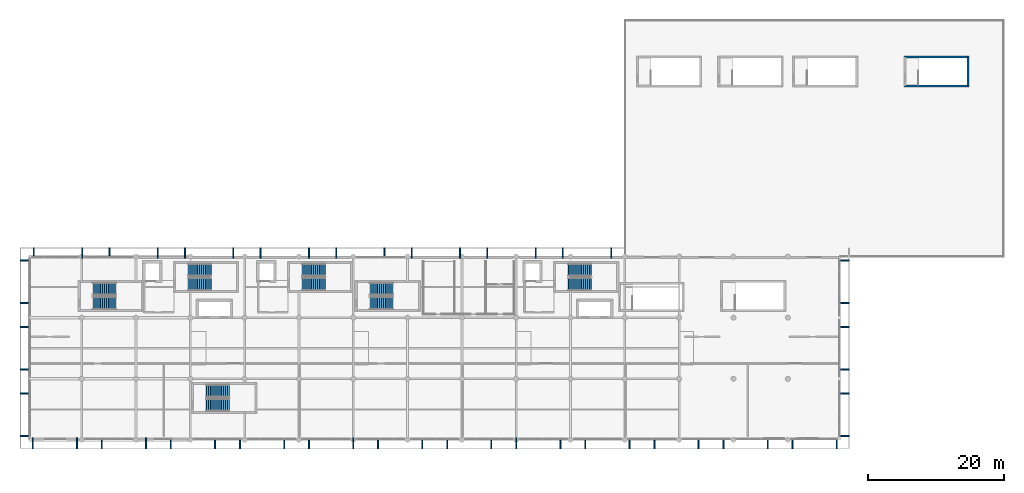
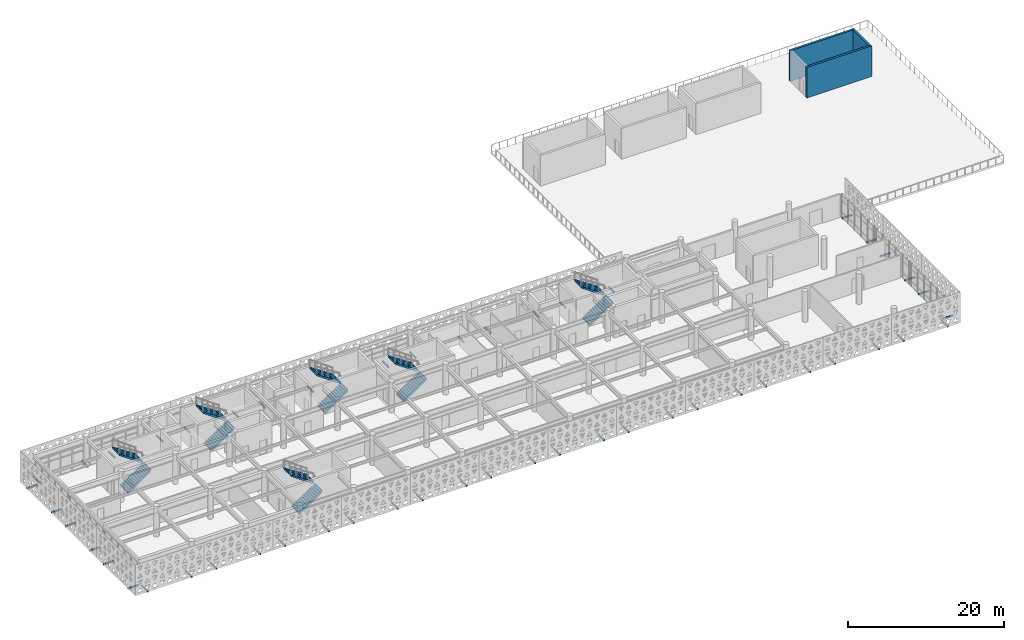
# One storey, part 25 of 33: 52 discrete accessories, 12 stair flights, 3 walls, 6 elements without a shape of their own.
"""IFC4 building model written with IfcOpenShell, lengths in metres."""

from ifc_helpers import new_model, si_unit, direction, frame, frame_2d, origin, origin_2d, place, context, subcontext, project, spatial, polyline, rectangle, outline, extrude, material, layer, layer_set, type_object, element, aggregate, save


model = new_model("IFC4")

# Units and contexts
model_context = context("Model", 3, precision=1e-05, world=origin(), true_north=direction((0.0, 1.0)))
body_context = subcontext(model_context, "Body", "Model", "MODEL_VIEW")
ifc_project = project(units=[si_unit("LENGTHUNIT", "METRE"), si_unit("AREAUNIT", "SQUARE_METRE"), si_unit("VOLUMEUNIT", "CUBIC_METRE"), si_unit("PLANEANGLEUNIT", "RADIAN"), si_unit("MASSUNIT", "GRAM", prefix="KILO")], contexts=[model_context])

# Site, building, storey
site_placement = place(None, origin())
site = spatial("IfcSite", under=ifc_project, at=site_placement, CompositionType="ELEMENT")
building_placement = place(site_placement, origin())
building = spatial("IfcBuilding", under=site, at=building_placement, Name="Tlacozan Convention Centre", CompositionType="ELEMENT")
storey_placement = place(building_placement, frame((0.0, 0.0, 16.199951171875)))
storey = spatial("IfcBuildingStorey", under=building, at=storey_placement, Name="L03", CompositionType="ELEMENT", Elevation=16.199951171875)

# Walls
ifc_material_1 = material(Name="Concrete C40/50", Category="concrete")
ifc_layer_1 = layer(ifc_material_1, 0.31005859375)
ifc_layer_set_1 = layer_set([ifc_layer_1], Name="Concrete C40/50")
wall_type = type_object("IfcWallType", Name="Stair Shaft Shear Wall RC 310", PredefinedType="SHEAR", material=ifc_layer_set_1)
for number, where, z_axis, x_axis, name in (
    (1, (129.0849609375, 52.139892578125, 0.0), (0.0, 0.0, 1.0), (1.0, 0.0, 0.0), "L03 Stair Shaft Shear Wall RC 310 261"),
    (2, (129.0849609375, 56.419921875, 0.0), (0.0, 0.0, 1.0), (1.0, 0.0, 0.0), "L03 Stair Shaft Shear Wall RC 310 262"),
):
    element("IfcWall", number, at=place(storey_placement, frame(where, z_axis=z_axis, x_axis=x_axis)), inside=storey, type_object=wall_type, Name=name, PredefinedType="SHEAR", context=body_context, shape_type="SweptSolid", body=[
        extrude(rectangle(XDim=9.630126953125, YDim=0.31005859375, at=frame_2d((4.81494140625, 0.0))), origin(), (0.0, 0.0, 1.0), 4.800048828125),
    ])
wall_placement = place(storey_placement, frame((138.56005859375, 52.139892578125, 0.0), z_axis=(0.0, 0.0, 1.0), x_axis=(0.0, 1.0, 0.0)))
element("IfcWall", 3, at=wall_placement, inside=storey, type_object=wall_type, Name="L03 Stair Shaft Shear Wall RC 310 264", PredefinedType="SHEAR", context=body_context, shape_type="SweptSolid", body=[
    extrude(rectangle(XDim=4.280029296875, YDim=0.31005859375, at=frame_2d((2.14013671875, 0.0))), origin(), (0.0, 0.0, 1.0), 4.800048828125),
])

# Stair, stair flights
stair_type = type_object("IfcStairType", Name="Protected Dogleg Stair W188 H48", PredefinedType="HALF_TURN_STAIR", material=ifc_material_1)
stair_1_placement = place(storey_placement, origin())
stair_1 = element("IfcStair", 4, at=stair_1_placement, inside=storey, type_object=stair_type, Name="L03 West Congress Core Stair ST-01", PredefinedType="HALF_TURN_STAIR")
stair_flight_type = type_object("IfcStairFlightType", Name="Concrete Stair Flight W188 H48", PredefinedType="STRAIGHT", material=ifc_material_1)
stair_flight_1_placement = place(storey_placement, frame((23.679931640625, 22.93994140625, 0.0), z_axis=(0.0, 0.0, 1.0), x_axis=(1.0, 0.0, 0.0)))
stair_flight_1 = element("IfcStairFlight", 5, at=stair_flight_1_placement, type_object=stair_flight_type, Name="ST-01 flight 1", NumberOfRisers=13, NumberOfTreads=12, PredefinedType="STRAIGHT", RiserHeight=0.184615385, TreadLength=0.28, context=body_context, shape_type="SweptSolid", body=[
    extrude(outline(polyline([(-0.044921875, -0.14990234375), (-0.044921875, 0.0), (0.0, 0.0), (0.0, 0.1845703125), (0.280029296875, 0.1845703125), (0.280029296875, 0.369140625), (0.56005859375, 0.369140625), (0.56005859375, 0.553955078125), (0.840087890625, 0.553955078125), (0.840087890625, 0.738525390625), (1.1201171875, 0.738525390625), (1.1201171875, 0.923095703125), (1.39990234375, 0.923095703125), (1.39990234375, 1.107666015625), (1.679931640625, 1.107666015625), (1.679931640625, 1.292236328125), (1.9599609375, 1.292236328125), (1.9599609375, 1.476806640625), (2.239990234375, 1.476806640625), (2.239990234375, 1.66162109375), (2.52001953125, 1.66162109375), (2.52001953125, 1.84619140625), (2.800048828125, 1.84619140625), (2.800048828125, 2.03076171875), (3.080078125, 2.03076171875), (3.080078125, 2.21533203125), (3.360107421875, 2.21533203125), (3.360107421875, 2.39990234375), (3.405029296875, 2.39990234375), (3.405029296875, 2.25), (3.360107421875, 2.035888671875), (0.272216796875, -0.14990234375), (-0.044921875, -0.14990234375)])), frame((0.0, 0.93994140625, 0.0), z_axis=(0.0, -1.0, 0.0), x_axis=(1.0, 0.0, 0.0)), (0.0, 0.0, 1.0), 1.8798828125),
])
stair_flight_2_placement = place(storey_placement, frame((27.0400390625, 25.02001953125, 2.400146484375), z_axis=(0.0, 0.0, 1.0), x_axis=(-1.0, 0.0, 0.0)))
stair_flight_2 = element("IfcStairFlight", 6, at=stair_flight_2_placement, type_object=stair_flight_type, Name="ST-01 flight 2", NumberOfRisers=13, NumberOfTreads=12, PredefinedType="STRAIGHT", RiserHeight=0.184615385, TreadLength=0.28, context=body_context, shape_type="SweptSolid", body=[
    extrude(outline(polyline([(-0.044921875, -0.14990234375), (-0.044921875, 0.0), (0.0, 0.0), (0.0, 0.1845703125), (0.280029296875, 0.1845703125), (0.280029296875, 0.369140625), (0.56005859375, 0.369140625), (0.56005859375, 0.553955078125), (0.840087890625, 0.553955078125), (0.840087890625, 0.738525390625), (1.1201171875, 0.738525390625), (1.1201171875, 0.923095703125), (1.39990234375, 0.923095703125), (1.39990234375, 1.107666015625), (1.679931640625, 1.107666015625), (1.679931640625, 1.292236328125), (1.9599609375, 1.292236328125), (1.9599609375, 1.476806640625), (2.239990234375, 1.476806640625), (2.239990234375, 1.66162109375), (2.52001953125, 1.66162109375), (2.52001953125, 1.84619140625), (2.800048828125, 1.84619140625), (2.800048828125, 2.03076171875), (3.080078125, 2.03076171875), (3.080078125, 2.21533203125), (3.360107421875, 2.21533203125), (3.360107421875, 2.39990234375), (3.405029296875, 2.39990234375), (3.405029296875, 2.25), (3.360107421875, 2.035888671875), (0.272216796875, -0.14990234375), (-0.044921875, -0.14990234375)])), frame((0.0, 0.93994140625, 0.0), z_axis=(0.0, -1.0, 0.0), x_axis=(1.0, 0.0, 0.0)), (0.0, 0.0, 1.0), 1.8798828125),
])
aggregate(stair_1, [stair_flight_1, stair_flight_2])

stair_2_placement = place(storey_placement, origin())
stair_2 = element("IfcStair", 7, at=stair_2_placement, inside=storey, type_object=stair_type, Name="L03 East Congress Core Stair ST-02", PredefinedType="HALF_TURN_STAIR")
stair_flight_3_placement = place(storey_placement, frame((79.679931640625, 22.93994140625, 0.0), z_axis=(0.0, 0.0, 1.0), x_axis=(1.0, 0.0, 0.0)))
stair_flight_3 = element("IfcStairFlight", 8, at=stair_flight_3_placement, type_object=stair_flight_type, Name="ST-02 flight 1", NumberOfRisers=13, NumberOfTreads=12, PredefinedType="STRAIGHT", RiserHeight=0.184615385, TreadLength=0.28, context=body_context, shape_type="SweptSolid", body=[
    extrude(outline(polyline([(-0.044921875, -0.14990234375), (-0.044921875, 0.0), (0.0, 0.0), (0.0, 0.1845703125), (0.280029296875, 0.1845703125), (0.280029296875, 0.369140625), (0.56005859375, 0.369140625), (0.56005859375, 0.553955078125), (0.840087890625, 0.553955078125), (0.840087890625, 0.738525390625), (1.1201171875, 0.738525390625), (1.1201171875, 0.923095703125), (1.39990234375, 0.923095703125), (1.39990234375, 1.107666015625), (1.679931640625, 1.107666015625), (1.679931640625, 1.292236328125), (1.9599609375, 1.292236328125), (1.9599609375, 1.476806640625), (2.239990234375, 1.476806640625), (2.239990234375, 1.66162109375), (2.52001953125, 1.66162109375), (2.52001953125, 1.84619140625), (2.800048828125, 1.84619140625), (2.800048828125, 2.03076171875), (3.080078125, 2.03076171875), (3.080078125, 2.21533203125), (3.360107421875, 2.21533203125), (3.360107421875, 2.39990234375), (3.405029296875, 2.39990234375), (3.405029296875, 2.25), (3.360107421875, 2.035888671875), (0.272216796875, -0.14990234375), (-0.044921875, -0.14990234375)])), frame((0.0, 0.93994140625, 0.0), z_axis=(0.0, -1.0, 0.0), x_axis=(1.0, 0.0, 0.0)), (0.0, 0.0, 1.0), 1.8798828125),
])
stair_flight_4_placement = place(storey_placement, frame((83.0400390625, 25.02001953125, 2.400146484375), z_axis=(0.0, 0.0, 1.0), x_axis=(-1.0, 0.0, 0.0)))
stair_flight_4 = element("IfcStairFlight", 9, at=stair_flight_4_placement, type_object=stair_flight_type, Name="ST-02 flight 2", NumberOfRisers=13, NumberOfTreads=12, PredefinedType="STRAIGHT", RiserHeight=0.184615385, TreadLength=0.28, context=body_context, shape_type="SweptSolid", body=[
    extrude(outline(polyline([(-0.044921875, -0.14990234375), (-0.044921875, 0.0), (0.0, 0.0), (0.0, 0.1845703125), (0.280029296875, 0.1845703125), (0.280029296875, 0.369140625), (0.56005859375, 0.369140625), (0.56005859375, 0.553955078125), (0.840087890625, 0.553955078125), (0.840087890625, 0.738525390625), (1.1201171875, 0.738525390625), (1.1201171875, 0.923095703125), (1.39990234375, 0.923095703125), (1.39990234375, 1.107666015625), (1.679931640625, 1.107666015625), (1.679931640625, 1.292236328125), (1.9599609375, 1.292236328125), (1.9599609375, 1.476806640625), (2.239990234375, 1.476806640625), (2.239990234375, 1.66162109375), (2.52001953125, 1.66162109375), (2.52001953125, 1.84619140625), (2.800048828125, 1.84619140625), (2.800048828125, 2.03076171875), (3.080078125, 2.03076171875), (3.080078125, 2.21533203125), (3.360107421875, 2.21533203125), (3.360107421875, 2.39990234375), (3.405029296875, 2.39990234375), (3.405029296875, 2.25), (3.360107421875, 2.035888671875), (0.272216796875, -0.14990234375), (-0.044921875, -0.14990234375)])), frame((0.0, 0.93994140625, 0.0), z_axis=(0.0, -1.0, 0.0), x_axis=(1.0, 0.0, 0.0)), (0.0, 0.0, 1.0), 1.8798828125),
])
aggregate(stair_2, [stair_flight_3, stair_flight_4])

stair_3_placement = place(storey_placement, origin())
stair_3 = element("IfcStair", 10, at=stair_3_placement, inside=storey, type_object=stair_type, Name="L03 Central Congress Core Stair ST-04", PredefinedType="HALF_TURN_STAIR")
stair_flight_5_placement = place(storey_placement, frame((40.47998046875, 22.93994140625, 0.0), z_axis=(0.0, 0.0, 1.0), x_axis=(1.0, 0.0, 0.0)))
stair_flight_5 = element("IfcStairFlight", 11, at=stair_flight_5_placement, type_object=stair_flight_type, Name="ST-04 flight 1", NumberOfRisers=13, NumberOfTreads=12, PredefinedType="STRAIGHT", RiserHeight=0.184615385, TreadLength=0.28, context=body_context, shape_type="SweptSolid", body=[
    extrude(outline(polyline([(-0.044921875, -0.14990234375), (-0.044921875, 0.0), (0.0, 0.0), (0.0, 0.1845703125), (0.280029296875, 0.1845703125), (0.280029296875, 0.369140625), (0.56005859375, 0.369140625), (0.56005859375, 0.553955078125), (0.840087890625, 0.553955078125), (0.840087890625, 0.738525390625), (1.1201171875, 0.738525390625), (1.1201171875, 0.923095703125), (1.39990234375, 0.923095703125), (1.39990234375, 1.107666015625), (1.679931640625, 1.107666015625), (1.679931640625, 1.292236328125), (1.9599609375, 1.292236328125), (1.9599609375, 1.476806640625), (2.239990234375, 1.476806640625), (2.239990234375, 1.66162109375), (2.52001953125, 1.66162109375), (2.52001953125, 1.84619140625), (2.800048828125, 1.84619140625), (2.800048828125, 2.03076171875), (3.080078125, 2.03076171875), (3.080078125, 2.21533203125), (3.360107421875, 2.21533203125), (3.360107421875, 2.39990234375), (3.405029296875, 2.39990234375), (3.405029296875, 2.25), (3.360107421875, 2.035888671875), (0.272216796875, -0.14990234375), (-0.044921875, -0.14990234375)])), frame((0.0, 0.93994140625, 0.0), z_axis=(0.0, -1.0, 0.0), x_axis=(1.0, 0.0, 0.0)), (0.0, 0.0, 1.0), 1.8798828125),
])
stair_flight_6_placement = place(storey_placement, frame((43.840087890625, 25.02001953125, 2.400146484375), z_axis=(0.0, 0.0, 1.0), x_axis=(-1.0, 0.0, 0.0)))
stair_flight_6 = element("IfcStairFlight", 12, at=stair_flight_6_placement, type_object=stair_flight_type, Name="ST-04 flight 2", NumberOfRisers=13, NumberOfTreads=12, PredefinedType="STRAIGHT", RiserHeight=0.184615385, TreadLength=0.28, context=body_context, shape_type="SweptSolid", body=[
    extrude(outline(polyline([(-0.044921875, -0.14990234375), (-0.044921875, 0.0), (0.0, 0.0), (0.0, 0.1845703125), (0.280029296875, 0.1845703125), (0.280029296875, 0.369140625), (0.56005859375, 0.369140625), (0.56005859375, 0.553955078125), (0.840087890625, 0.553955078125), (0.840087890625, 0.738525390625), (1.1201171875, 0.738525390625), (1.1201171875, 0.923095703125), (1.39990234375, 0.923095703125), (1.39990234375, 1.107666015625), (1.679931640625, 1.107666015625), (1.679931640625, 1.292236328125), (1.9599609375, 1.292236328125), (1.9599609375, 1.476806640625), (2.239990234375, 1.476806640625), (2.239990234375, 1.66162109375), (2.52001953125, 1.66162109375), (2.52001953125, 1.84619140625), (2.800048828125, 1.84619140625), (2.800048828125, 2.03076171875), (3.080078125, 2.03076171875), (3.080078125, 2.21533203125), (3.360107421875, 2.21533203125), (3.360107421875, 2.39990234375), (3.405029296875, 2.39990234375), (3.405029296875, 2.25), (3.360107421875, 2.035888671875), (0.272216796875, -0.14990234375), (-0.044921875, -0.14990234375)])), frame((0.0, 0.93994140625, 0.0), z_axis=(0.0, -1.0, 0.0), x_axis=(1.0, 0.0, 0.0)), (0.0, 0.0, 1.0), 1.8798828125),
])
aggregate(stair_3, [stair_flight_5, stair_flight_6])

stair_4_placement = place(storey_placement, origin())
stair_4 = element("IfcStair", 13, at=stair_4_placement, inside=storey, type_object=stair_type, Name="L03 West Belvedere Congress Stair", PredefinedType="HALF_TURN_STAIR")
stair_flight_7_placement = place(storey_placement, frame((9.679931640625, 20.139892578125, 0.0), z_axis=(0.0, 0.0, 1.0), x_axis=(1.0, 0.0, 0.0)))
stair_flight_7 = element("IfcStairFlight", 14, at=stair_flight_7_placement, type_object=stair_flight_type, Name="ST-13 flight 1", NumberOfRisers=13, NumberOfTreads=12, PredefinedType="STRAIGHT", RiserHeight=0.184615385, TreadLength=0.28, context=body_context, shape_type="SweptSolid", body=[
    extrude(outline(polyline([(-0.044921875, -0.14990234375), (-0.044921875, 0.0), (0.0, 0.0), (0.0, 0.1845703125), (0.280029296875, 0.1845703125), (0.280029296875, 0.369140625), (0.56005859375, 0.369140625), (0.56005859375, 0.553955078125), (0.840087890625, 0.553955078125), (0.840087890625, 0.738525390625), (1.1201171875, 0.738525390625), (1.1201171875, 0.923095703125), (1.39990234375, 0.923095703125), (1.39990234375, 1.107666015625), (1.679931640625, 1.107666015625), (1.679931640625, 1.292236328125), (1.9599609375, 1.292236328125), (1.9599609375, 1.476806640625), (2.239990234375, 1.476806640625), (2.239990234375, 1.66162109375), (2.52001953125, 1.66162109375), (2.52001953125, 1.84619140625), (2.800048828125, 1.84619140625), (2.800048828125, 2.03076171875), (3.080078125, 2.03076171875), (3.080078125, 2.21533203125), (3.360107421875, 2.21533203125), (3.360107421875, 2.39990234375), (3.405029296875, 2.39990234375), (3.405029296875, 2.25), (3.360107421875, 2.035888671875), (0.272216796875, -0.14990234375), (-0.044921875, -0.14990234375)])), frame((0.0, 0.93994140625, 0.0), z_axis=(0.0, -1.0, 0.0), x_axis=(1.0, 0.0, 0.0)), (0.0, 0.0, 1.0), 1.8798828125),
])
stair_flight_8_placement = place(storey_placement, frame((13.0400390625, 22.219970703125, 2.400146484375), z_axis=(0.0, 0.0, 1.0), x_axis=(-1.0, 0.0, 0.0)))
stair_flight_8 = element("IfcStairFlight", 15, at=stair_flight_8_placement, type_object=stair_flight_type, Name="ST-13 flight 2", NumberOfRisers=13, NumberOfTreads=12, PredefinedType="STRAIGHT", RiserHeight=0.184615385, TreadLength=0.28, context=body_context, shape_type="SweptSolid", body=[
    extrude(outline(polyline([(-0.044921875, -0.14990234375), (-0.044921875, 0.0), (0.0, 0.0), (0.0, 0.1845703125), (0.280029296875, 0.1845703125), (0.280029296875, 0.369140625), (0.56005859375, 0.369140625), (0.56005859375, 0.553955078125), (0.840087890625, 0.553955078125), (0.840087890625, 0.738525390625), (1.1201171875, 0.738525390625), (1.1201171875, 0.923095703125), (1.39990234375, 0.923095703125), (1.39990234375, 1.107666015625), (1.679931640625, 1.107666015625), (1.679931640625, 1.292236328125), (1.9599609375, 1.292236328125), (1.9599609375, 1.476806640625), (2.239990234375, 1.476806640625), (2.239990234375, 1.66162109375), (2.52001953125, 1.66162109375), (2.52001953125, 1.84619140625), (2.800048828125, 1.84619140625), (2.800048828125, 2.03076171875), (3.080078125, 2.03076171875), (3.080078125, 2.21533203125), (3.360107421875, 2.21533203125), (3.360107421875, 2.39990234375), (3.405029296875, 2.39990234375), (3.405029296875, 2.25), (3.360107421875, 2.035888671875), (0.272216796875, -0.14990234375), (-0.044921875, -0.14990234375)])), frame((0.0, 0.93994140625, 0.0), z_axis=(0.0, -1.0, 0.0), x_axis=(1.0, 0.0, 0.0)), (0.0, 0.0, 1.0), 1.8798828125),
])
aggregate(stair_4, [stair_flight_7, stair_flight_8])

stair_5_placement = place(storey_placement, origin())
stair_5 = element("IfcStair", 16, at=stair_5_placement, inside=storey, type_object=stair_type, Name="L03 Central Promenade Congress Stair", PredefinedType="HALF_TURN_STAIR")
stair_flight_9_placement = place(storey_placement, frame((50.47998046875, 20.139892578125, 0.0), z_axis=(0.0, 0.0, 1.0), x_axis=(1.0, 0.0, 0.0)))
stair_flight_9 = element("IfcStairFlight", 17, at=stair_flight_9_placement, type_object=stair_flight_type, Name="ST-14 flight 1", NumberOfRisers=13, NumberOfTreads=12, PredefinedType="STRAIGHT", RiserHeight=0.184615385, TreadLength=0.28, context=body_context, shape_type="SweptSolid", body=[
    extrude(outline(polyline([(-0.044921875, -0.14990234375), (-0.044921875, 0.0), (0.0, 0.0), (0.0, 0.1845703125), (0.280029296875, 0.1845703125), (0.280029296875, 0.369140625), (0.56005859375, 0.369140625), (0.56005859375, 0.553955078125), (0.840087890625, 0.553955078125), (0.840087890625, 0.738525390625), (1.1201171875, 0.738525390625), (1.1201171875, 0.923095703125), (1.39990234375, 0.923095703125), (1.39990234375, 1.107666015625), (1.679931640625, 1.107666015625), (1.679931640625, 1.292236328125), (1.9599609375, 1.292236328125), (1.9599609375, 1.476806640625), (2.239990234375, 1.476806640625), (2.239990234375, 1.66162109375), (2.52001953125, 1.66162109375), (2.52001953125, 1.84619140625), (2.800048828125, 1.84619140625), (2.800048828125, 2.03076171875), (3.080078125, 2.03076171875), (3.080078125, 2.21533203125), (3.360107421875, 2.21533203125), (3.360107421875, 2.39990234375), (3.405029296875, 2.39990234375), (3.405029296875, 2.25), (3.360107421875, 2.035888671875), (0.272216796875, -0.14990234375), (-0.044921875, -0.14990234375)])), frame((0.0, 0.93994140625, 0.0), z_axis=(0.0, -1.0, 0.0), x_axis=(1.0, 0.0, 0.0)), (0.0, 0.0, 1.0), 1.8798828125),
])
stair_flight_10_placement = place(storey_placement, frame((53.840087890625, 22.219970703125, 2.400146484375), z_axis=(0.0, 0.0, 1.0), x_axis=(-1.0, 0.0, 0.0)))
stair_flight_10 = element("IfcStairFlight", 18, at=stair_flight_10_placement, type_object=stair_flight_type, Name="ST-14 flight 2", NumberOfRisers=13, NumberOfTreads=12, PredefinedType="STRAIGHT", RiserHeight=0.184615385, TreadLength=0.28, context=body_context, shape_type="SweptSolid", body=[
    extrude(outline(polyline([(-0.044921875, -0.14990234375), (-0.044921875, 0.0), (0.0, 0.0), (0.0, 0.1845703125), (0.280029296875, 0.1845703125), (0.280029296875, 0.369140625), (0.56005859375, 0.369140625), (0.56005859375, 0.553955078125), (0.840087890625, 0.553955078125), (0.840087890625, 0.738525390625), (1.1201171875, 0.738525390625), (1.1201171875, 0.923095703125), (1.39990234375, 0.923095703125), (1.39990234375, 1.107666015625), (1.679931640625, 1.107666015625), (1.679931640625, 1.292236328125), (1.9599609375, 1.292236328125), (1.9599609375, 1.476806640625), (2.239990234375, 1.476806640625), (2.239990234375, 1.66162109375), (2.52001953125, 1.66162109375), (2.52001953125, 1.84619140625), (2.800048828125, 1.84619140625), (2.800048828125, 2.03076171875), (3.080078125, 2.03076171875), (3.080078125, 2.21533203125), (3.360107421875, 2.21533203125), (3.360107421875, 2.39990234375), (3.405029296875, 2.39990234375), (3.405029296875, 2.25), (3.360107421875, 2.035888671875), (0.272216796875, -0.14990234375), (-0.044921875, -0.14990234375)])), frame((0.0, 0.93994140625, 0.0), z_axis=(0.0, -1.0, 0.0), x_axis=(1.0, 0.0, 0.0)), (0.0, 0.0, 1.0), 1.8798828125),
])
aggregate(stair_5, [stair_flight_9, stair_flight_10])

stair_6_placement = place(storey_placement, origin())
stair_6 = element("IfcStair", 19, at=stair_6_placement, inside=storey, type_object=stair_type, Name="L03 West Concourse Grand Stair", PredefinedType="HALF_TURN_STAIR")
stair_flight_11_placement = place(storey_placement, frame((26.3798828125, 5.139892578125, 0.0), z_axis=(0.0, 0.0, 1.0), x_axis=(1.0, 0.0, 0.0)))
stair_flight_11 = element("IfcStairFlight", 20, at=stair_flight_11_placement, type_object=stair_flight_type, Name="ST-16 flight 1", NumberOfRisers=13, NumberOfTreads=12, PredefinedType="STRAIGHT", RiserHeight=0.184615385, TreadLength=0.28, context=body_context, shape_type="SweptSolid", body=[
    extrude(outline(polyline([(-0.044921875, -0.14990234375), (-0.044921875, 0.0), (0.0, 0.0), (0.0, 0.1845703125), (0.280029296875, 0.1845703125), (0.280029296875, 0.369140625), (0.56005859375, 0.369140625), (0.56005859375, 0.553955078125), (0.840087890625, 0.553955078125), (0.840087890625, 0.738525390625), (1.1201171875, 0.738525390625), (1.1201171875, 0.923095703125), (1.39990234375, 0.923095703125), (1.39990234375, 1.107666015625), (1.679931640625, 1.107666015625), (1.679931640625, 1.292236328125), (1.9599609375, 1.292236328125), (1.9599609375, 1.476806640625), (2.239990234375, 1.476806640625), (2.239990234375, 1.66162109375), (2.52001953125, 1.66162109375), (2.52001953125, 1.84619140625), (2.800048828125, 1.84619140625), (2.800048828125, 2.03076171875), (3.080078125, 2.03076171875), (3.080078125, 2.21533203125), (3.360107421875, 2.21533203125), (3.360107421875, 2.39990234375), (3.405029296875, 2.39990234375), (3.405029296875, 2.25), (3.360107421875, 2.035888671875), (0.272216796875, -0.14990234375), (-0.044921875, -0.14990234375)])), frame((0.0, 0.93994140625, 0.0), z_axis=(0.0, -1.0, 0.0), x_axis=(1.0, 0.0, 0.0)), (0.0, 0.0, 1.0), 1.8798828125),
])
stair_flight_12_placement = place(storey_placement, frame((29.739990234375, 7.219970703125, 2.400146484375), z_axis=(0.0, 0.0, 1.0), x_axis=(-1.0, 0.0, 0.0)))
stair_flight_12 = element("IfcStairFlight", 21, at=stair_flight_12_placement, type_object=stair_flight_type, Name="ST-16 flight 2", NumberOfRisers=13, NumberOfTreads=12, PredefinedType="STRAIGHT", RiserHeight=0.184615385, TreadLength=0.28, context=body_context, shape_type="SweptSolid", body=[
    extrude(outline(polyline([(-0.044921875, -0.14990234375), (-0.044921875, 0.0), (0.0, 0.0), (0.0, 0.1845703125), (0.280029296875, 0.1845703125), (0.280029296875, 0.369140625), (0.56005859375, 0.369140625), (0.56005859375, 0.553955078125), (0.840087890625, 0.553955078125), (0.840087890625, 0.738525390625), (1.1201171875, 0.738525390625), (1.1201171875, 0.923095703125), (1.39990234375, 0.923095703125), (1.39990234375, 1.107666015625), (1.679931640625, 1.107666015625), (1.679931640625, 1.292236328125), (1.9599609375, 1.292236328125), (1.9599609375, 1.476806640625), (2.239990234375, 1.476806640625), (2.239990234375, 1.66162109375), (2.52001953125, 1.66162109375), (2.52001953125, 1.84619140625), (2.800048828125, 1.84619140625), (2.800048828125, 2.03076171875), (3.080078125, 2.03076171875), (3.080078125, 2.21533203125), (3.360107421875, 2.21533203125), (3.360107421875, 2.39990234375), (3.405029296875, 2.39990234375), (3.405029296875, 2.25), (3.360107421875, 2.035888671875), (0.272216796875, -0.14990234375), (-0.044921875, -0.14990234375)])), frame((0.0, 0.93994140625, 0.0), z_axis=(0.0, -1.0, 0.0), x_axis=(1.0, 0.0, 0.0)), (0.0, 0.0, 1.0), 1.8798828125),
])
aggregate(stair_6, [stair_flight_11, stair_flight_12])

# Discrete accessories
ifc_material_2 = material(Name="Steel ASTM A572 Grade 50", Category="steel")
ifc_layer_2 = layer(ifc_material_2, 0.179931640625)
ifc_layer_set_2 = layer_set([ifc_layer_2], Name="Steel ASTM A572 Grade 50")
discrete_accessory_type = type_object("IfcDiscreteAccessoryType", Name="Screen Steel Outrigger Bracket", PredefinedType="BRACKET", material=ifc_layer_set_2)
for number, where, z_axis, x_axis, name in (
    (22, (0.78271484375, -0.5048828125, -0.10986328125), (0.0, 0.0, 1.0), (0.0, 1.0, 0.0), "L03 Screen Outrigger Bracket 101"),
    (23, (7.292236328125, -0.5048828125, -0.10986328125), (0.0, 0.0, 1.0), (0.0, 1.0, 0.0), "L03 Screen Outrigger Bracket 102"),
    (24, (10.957763671875, -0.5048828125, -0.10986328125), (0.0, 0.0, 1.0), (0.0, 1.0, 0.0), "L03 Screen Outrigger Bracket 103"),
    (25, (17.46728515625, -0.5048828125, -0.10986328125), (0.0, 0.0, 1.0), (0.0, 1.0, 0.0), "L03 Screen Outrigger Bracket 104"),
    (26, (21.1328125, -0.5048828125, -0.10986328125), (0.0, 0.0, 1.0), (0.0, 1.0, 0.0), "L03 Screen Outrigger Bracket 105"),
    (27, (27.64208984375, -0.5048828125, -0.10986328125), (0.0, 0.0, 1.0), (0.0, 1.0, 0.0), "L03 Screen Outrigger Bracket 106"),
    (28, (31.307861328125, -0.5048828125, -0.10986328125), (0.0, 0.0, 1.0), (0.0, 1.0, 0.0), "L03 Screen Outrigger Bracket 107"),
    (29, (37.817138671875, -0.5048828125, -0.10986328125), (0.0, 0.0, 1.0), (0.0, 1.0, 0.0), "L03 Screen Outrigger Bracket 108"),
    (30, (41.48291015625, -0.5048828125, -0.10986328125), (0.0, 0.0, 1.0), (0.0, 1.0, 0.0), "L03 Screen Outrigger Bracket 109"),
    (31, (47.9921875, -0.5048828125, -0.10986328125), (0.0, 0.0, 1.0), (0.0, 1.0, 0.0), "L03 Screen Outrigger Bracket 110"),
    (32, (51.65771484375, -0.5048828125, -0.10986328125), (0.0, 0.0, 1.0), (0.0, 1.0, 0.0), "L03 Screen Outrigger Bracket 111"),
    (33, (58.167236328125, -0.5048828125, -0.10986328125), (0.0, 0.0, 1.0), (0.0, 1.0, 0.0), "L03 Screen Outrigger Bracket 112"),
    (34, (61.832763671875, -0.5048828125, -0.10986328125), (0.0, 0.0, 1.0), (0.0, 1.0, 0.0), "L03 Screen Outrigger Bracket 113"),
    (35, (68.34228515625, -0.5048828125, -0.10986328125), (0.0, 0.0, 1.0), (0.0, 1.0, 0.0), "L03 Screen Outrigger Bracket 114"),
    (36, (72.0078125, -0.5048828125, -0.10986328125), (0.0, 0.0, 1.0), (0.0, 1.0, 0.0), "L03 Screen Outrigger Bracket 115"),
    (37, (78.51708984375, -0.5048828125, -0.10986328125), (0.0, 0.0, 1.0), (0.0, 1.0, 0.0), "L03 Screen Outrigger Bracket 116"),
    (38, (82.182861328125, -0.5048828125, -0.10986328125), (0.0, 0.0, 1.0), (0.0, 1.0, 0.0), "L03 Screen Outrigger Bracket 117"),
    (39, (88.692138671875, -0.5048828125, -0.10986328125), (0.0, 0.0, 1.0), (0.0, 1.0, 0.0), "L03 Screen Outrigger Bracket 118"),
    (40, (92.35791015625, -0.5048828125, -0.10986328125), (0.0, 0.0, 1.0), (0.0, 1.0, 0.0), "L03 Screen Outrigger Bracket 119"),
    (41, (98.8671875, -0.5048828125, -0.10986328125), (0.0, 0.0, 1.0), (0.0, 1.0, 0.0), "L03 Screen Outrigger Bracket 120"),
    (42, (102.53271484375, -0.5048828125, -0.10986328125), (0.0, 0.0, 1.0), (0.0, 1.0, 0.0), "L03 Screen Outrigger Bracket 121"),
    (43, (109.042236328125, -0.5048828125, -0.10986328125), (0.0, 0.0, 1.0), (0.0, 1.0, 0.0), "L03 Screen Outrigger Bracket 122"),
    (44, (112.707763671875, -0.5048828125, -0.10986328125), (0.0, 0.0, 1.0), (0.0, 1.0, 0.0), "L03 Screen Outrigger Bracket 123"),
    (45, (119.21728515625, -0.5048828125, -0.10986328125), (0.0, 0.0, 1.0), (0.0, 1.0, 0.0), "L03 Screen Outrigger Bracket 124"),
    (46, (-0.304931640625, 0.55908203125, -0.10986328125), (0.0, 0.0, 1.0), (1.0, 0.0, 0.0), "L03 Screen Outrigger Bracket 125"),
    (47, (-0.304931640625, 6.83154296875, -0.10986328125), (0.0, 0.0, 1.0), (1.0, 0.0, 0.0), "L03 Screen Outrigger Bracket 126"),
    (48, (-0.304931640625, 10.36376953125, -0.10986328125), (0.0, 0.0, 1.0), (1.0, 0.0, 0.0), "L03 Screen Outrigger Bracket 127"),
    (49, (-0.304931640625, 16.63623046875, -0.10986328125), (0.0, 0.0, 1.0), (1.0, 0.0, 0.0), "L03 Screen Outrigger Bracket 128"),
    (50, (-0.304931640625, 20.16845703125, -0.10986328125), (0.0, 0.0, 1.0), (1.0, 0.0, 0.0), "L03 Screen Outrigger Bracket 129"),
    (51, (-0.304931640625, 26.44091796875, -0.10986328125), (0.0, 0.0, 1.0), (1.0, 0.0, 0.0), "L03 Screen Outrigger Bracket 130"),
    (52, (120.304931640625, 0.55908203125, -0.10986328125), (0.0, 0.0, 1.0), (-1.0, 0.0, 0.0), "L03 Screen Outrigger Bracket 131"),
    (53, (120.304931640625, 6.83154296875, -0.10986328125), (0.0, 0.0, 1.0), (-1.0, 0.0, 0.0), "L03 Screen Outrigger Bracket 132"),
    (54, (120.304931640625, 10.36376953125, -0.10986328125), (0.0, 0.0, 1.0), (-1.0, 0.0, 0.0), "L03 Screen Outrigger Bracket 133"),
    (55, (120.304931640625, 16.63623046875, -0.10986328125), (0.0, 0.0, 1.0), (-1.0, 0.0, 0.0), "L03 Screen Outrigger Bracket 134"),
    (56, (120.304931640625, 20.16845703125, -0.10986328125), (0.0, 0.0, 1.0), (-1.0, 0.0, 0.0), "L03 Screen Outrigger Bracket 135"),
    (57, (120.304931640625, 26.44091796875, -0.10986328125), (0.0, 0.0, 1.0), (-1.0, 0.0, 0.0), "L03 Screen Outrigger Bracket 136"),
    (58, (0.954833984375, 27.5048828125, -0.10986328125), (0.0, 0.0, 1.0), (0.0, -1.0, 0.0), "L03 Screen Outrigger Bracket 137"),
    (59, (8.076416015625, 27.5048828125, -0.10986328125), (0.0, 0.0, 1.0), (0.0, -1.0, 0.0), "L03 Screen Outrigger Bracket 138"),
    (60, (12.086181640625, 27.5048828125, -0.10986328125), (0.0, 0.0, 1.0), (0.0, -1.0, 0.0), "L03 Screen Outrigger Bracket 139"),
    (61, (19.20751953125, 27.5048828125, -0.10986328125), (0.0, 0.0, 1.0), (0.0, -1.0, 0.0), "L03 Screen Outrigger Bracket 140"),
    (62, (23.21728515625, 27.5048828125, -0.10986328125), (0.0, 0.0, 1.0), (0.0, -1.0, 0.0), "L03 Screen Outrigger Bracket 141"),
    (63, (30.3388671875, 27.5048828125, -0.10986328125), (0.0, 0.0, 1.0), (0.0, -1.0, 0.0), "L03 Screen Outrigger Bracket 142"),
    (64, (34.3486328125, 27.5048828125, -0.10986328125), (0.0, 0.0, 1.0), (0.0, -1.0, 0.0), "L03 Screen Outrigger Bracket 143"),
    (65, (41.47021484375, 27.5048828125, -0.10986328125), (0.0, 0.0, 1.0), (0.0, -1.0, 0.0), "L03 Screen Outrigger Bracket 144"),
    (66, (45.47998046875, 27.5048828125, -0.10986328125), (0.0, 0.0, 1.0), (0.0, -1.0, 0.0), "L03 Screen Outrigger Bracket 145"),
    (67, (52.601318359375, 27.5048828125, -0.10986328125), (0.0, 0.0, 1.0), (0.0, -1.0, 0.0), "L03 Screen Outrigger Bracket 146"),
    (68, (56.611083984375, 27.5048828125, -0.10986328125), (0.0, 0.0, 1.0), (0.0, -1.0, 0.0), "L03 Screen Outrigger Bracket 147"),
    (69, (63.732666015625, 27.5048828125, -0.10986328125), (0.0, 0.0, 1.0), (0.0, -1.0, 0.0), "L03 Screen Outrigger Bracket 148"),
    (70, (67.742431640625, 27.5048828125, -0.10986328125), (0.0, 0.0, 1.0), (0.0, -1.0, 0.0), "L03 Screen Outrigger Bracket 149"),
    (71, (74.86376953125, 27.5048828125, -0.10986328125), (0.0, 0.0, 1.0), (0.0, -1.0, 0.0), "L03 Screen Outrigger Bracket 150"),
    (72, (78.873779296875, 27.5048828125, -0.10986328125), (0.0, 0.0, 1.0), (0.0, -1.0, 0.0), "L03 Screen Outrigger Bracket 151"),
    (73, (85.9951171875, 27.5048828125, -0.10986328125), (0.0, 0.0, 1.0), (0.0, -1.0, 0.0), "L03 Screen Outrigger Bracket 152"),
):
    element("IfcDiscreteAccessory", number, at=place(storey_placement, frame(where, z_axis=z_axis, x_axis=x_axis)), inside=storey, type_object=discrete_accessory_type, Name=name, PredefinedType="BRACKET", context=body_context, shape_type="SweptSolid", body=[
        extrude(rectangle(XDim=1.570068359375, YDim=0.179931640625, at=origin_2d()), origin(), (0.0, 0.0, 1.0), 0.239990234375),
    ])

save(model, "model.ifc")
